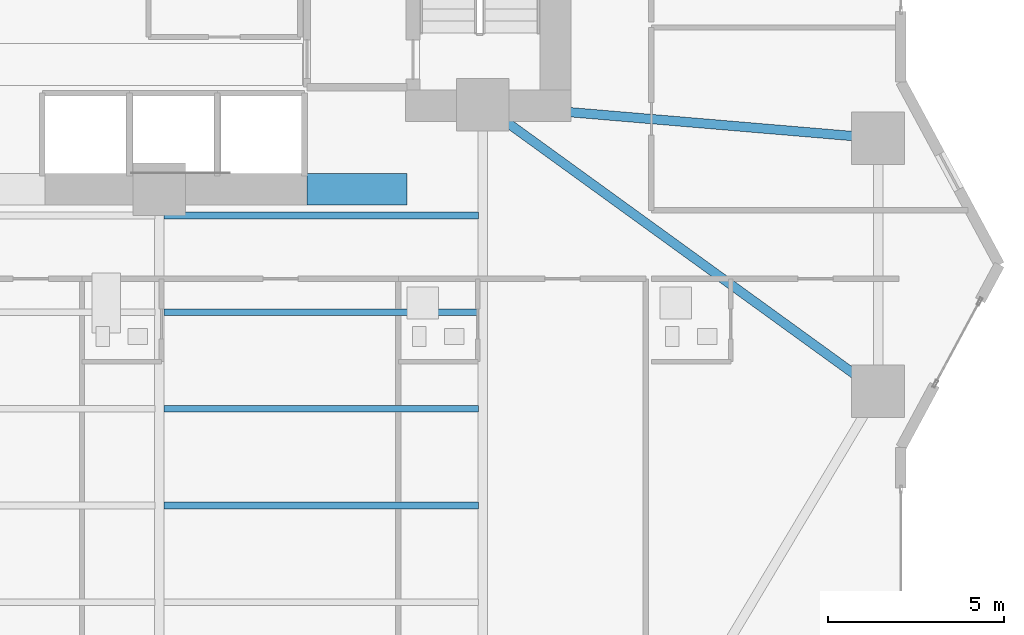
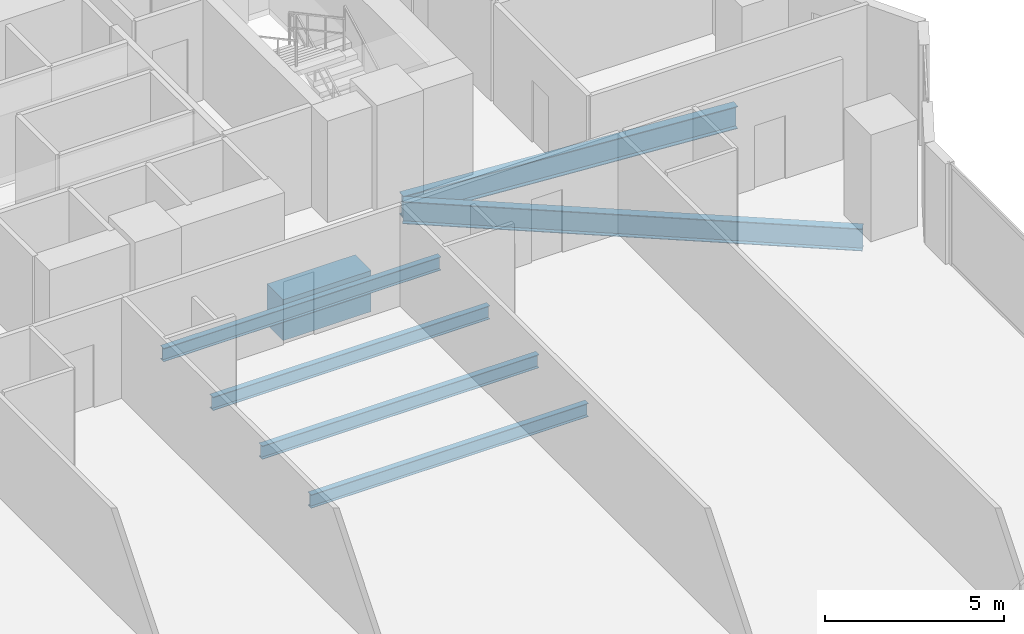
# One storey, part 11 of 29: 7 beams.
"""IFC4 building model written with IfcOpenShell, lengths in metres."""

from ifc_helpers import new_model, si_unit, direction, frame, origin, origin_2d, place, context, subcontext, project, spatial, rectangle, i_section, extrude, material, material_profile, profile_set, type_object, element, save


model = new_model("IFC4")

# Units and contexts
model_context = context("Model", 3, precision=1e-05, world=origin(), true_north=direction((0.0, 1.0)))
body_context = subcontext(model_context, "Body", "Model", "MODEL_VIEW")
ifc_project = project(units=[si_unit("LENGTHUNIT", "METRE"), si_unit("AREAUNIT", "SQUARE_METRE"), si_unit("VOLUMEUNIT", "CUBIC_METRE"), si_unit("PLANEANGLEUNIT", "RADIAN"), si_unit("MASSUNIT", "GRAM", prefix="KILO")], contexts=[model_context])

# Site, building, storey
site_placement = place(None, origin())
site = spatial("IfcSite", under=ifc_project, at=site_placement, CompositionType="ELEMENT")
building_placement = place(site_placement, origin())
building = spatial("IfcBuilding", under=site, at=building_placement, Name="Zuhayl Quay Hotel", CompositionType="ELEMENT")
storey_placement = place(building_placement, frame((0.0, 0.0, 42.199951171875)))
storey = spatial("IfcBuildingStorey", under=building, at=storey_placement, Name="L09", CompositionType="ELEMENT", Elevation=42.199951171875)

# Beams
ifc_material_1 = material(Name="Steel ASTM A992 Grade 50", Category="steel")
ifc_material_profile_1 = material_profile(ifc_material_1, i_section(OverallWidth=0.26708984375, OverallDepth=0.761962890625, WebThickness=0.014404296875, FlangeThickness=0.021484375, at=origin_2d()), Name="W30X116")
ifc_profile_set_1 = profile_set([ifc_material_profile_1], Name="Steel ASTM A992 Grade 50")
beam_type_1 = type_object("IfcBeamType", Name="BM_B1_W30X116", PredefinedType="BEAM", material=ifc_profile_set_1)
beam_1_placement = place(storey_placement, frame((14.164306640625, 4.285888671875, -0.600830078125), z_axis=(0.809830244688, -0.586664277751, 0.0), x_axis=(0.586664277751, 0.809830244688, 0.0)))
element("IfcBeam", 1, at=beam_1_placement, inside=storey, type_object=beam_type_1, Name="L09 Floor Beam FG_E_L09_1", PredefinedType="BEAM", context=body_context, shape_type="SweptSolid", body=[
    extrude(i_section(OverallWidth=0.26708984375, OverallDepth=0.761962890625, WebThickness=0.014404296875, FlangeThickness=0.021484375, at=origin_2d()), origin(), (0.0, 0.0, 1.0), 12.94189453125),
])
beam_2_placement = place(storey_placement, frame((14.248291015625, 4.51220703125, -0.600830078125), z_axis=(0.996453145398, -0.084149444594, 0.0), x_axis=(0.084149444594, 0.996453145398, 0.0)))
element("IfcBeam", 2, at=beam_2_placement, inside=storey, type_object=beam_type_1, Name="L09 Floor Beam FG_E_L09_2", PredefinedType="BEAM", context=body_context, shape_type="SweptSolid", body=[
    extrude(i_section(OverallWidth=0.26708984375, OverallDepth=0.761962890625, WebThickness=0.014404296875, FlangeThickness=0.021484375, at=origin_2d()), origin(), (0.0, 0.0, 1.0), 10.340087890625),
])
ifc_material_2 = material(Name="Concrete C60/75", Category="concrete")
ifc_material_profile_2 = material_profile(ifc_material_2, rectangle(XDim=0.89990234375, YDim=1.39990234375, at=origin_2d()), Name="RC900X1400")
ifc_profile_set_2 = profile_set([ifc_material_profile_2], Name="Concrete C60/75")
beam_type_2 = type_object("IfcBeamType", Name="BM_CB1_RC900", PredefinedType="T_BEAM", material=ifc_profile_set_2)
beam_3_placement = place(storey_placement, frame((8.800048828125, 2.14990234375, -0.919921875), z_axis=(1.0, 0.0, 0.0), x_axis=(0.0, 1.0, 0.0)))
element("IfcBeam", 3, at=beam_3_placement, inside=storey, type_object=beam_type_2, Name="L09 Core Coupling Beam SE", PredefinedType="T_BEAM", context=body_context, shape_type="SweptSolid", body=[
    extrude(rectangle(XDim=0.89990234375, YDim=1.39990234375, at=origin_2d()), origin(), (0.0, 0.0, 1.0), 2.849853515625),
])
ifc_material_profile_3 = material_profile(ifc_material_1, i_section(OverallWidth=0.18994140625, OverallDepth=0.45703125, WebThickness=0.009033203125, FlangeThickness=0.014404296875, at=origin_2d()), Name="W18X50")
ifc_profile_set_3 = profile_set([ifc_material_profile_3], Name="Steel ASTM A992 Grade 50")
beam_type_3 = type_object("IfcBeamType", Name="BM_J2_W18X50", PredefinedType="JOIST", material=ifc_profile_set_3)
for number, where, z_axis, x_axis, name in (
    (4, (4.7255859375, -6.85009765625, -0.448486328125), (1.0, 0.0, 0.0), (0.0, 1.0, 0.0), "L09 Floor Beam FJ_L09_7_3"),
    (5, (4.7255859375, -4.10009765625, -0.448486328125), (1.0, 0.0, 0.0), (0.0, 1.0, 0.0), "L09 Floor Beam FJ_L09_8_3"),
    (6, (4.7255859375, -1.35009765625, -0.448486328125), (1.0, 0.0, 0.0), (0.0, 1.0, 0.0), "L09 Floor Beam FJ_L09_9_3"),
    (7, (4.7255859375, 1.39990234375, -0.448486328125), (1.0, 0.0, 0.0), (0.0, 1.0, 0.0), "L09 Floor Beam FJ_L09_10_3"),
):
    element("IfcBeam", number, at=place(storey_placement, frame(where, z_axis=z_axis, x_axis=x_axis)), inside=storey, type_object=beam_type_3, Name=name, PredefinedType="JOIST", context=body_context, shape_type="SweptSolid", body=[
        extrude(i_section(OverallWidth=0.18994140625, OverallDepth=0.45703125, WebThickness=0.009033203125, FlangeThickness=0.014404296875, at=origin_2d()), origin(), (0.0, 0.0, 1.0), 8.948974609375),
    ])

save(model, "model.ifc")
